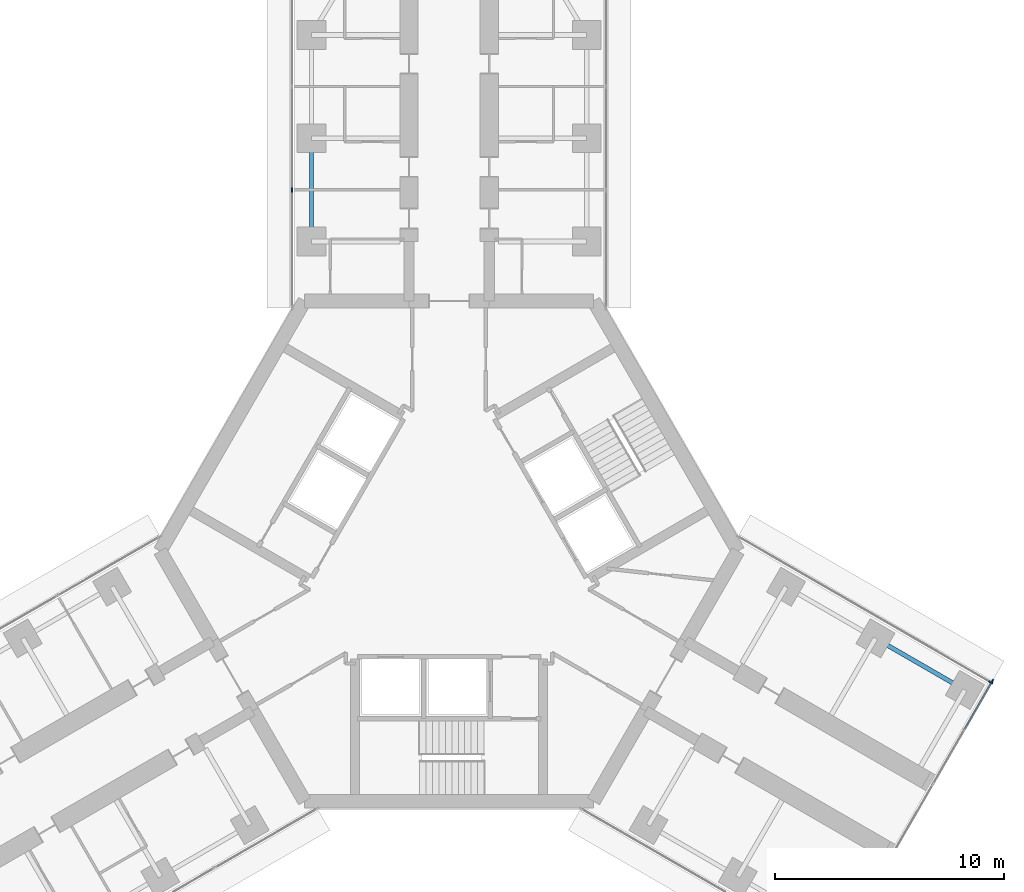
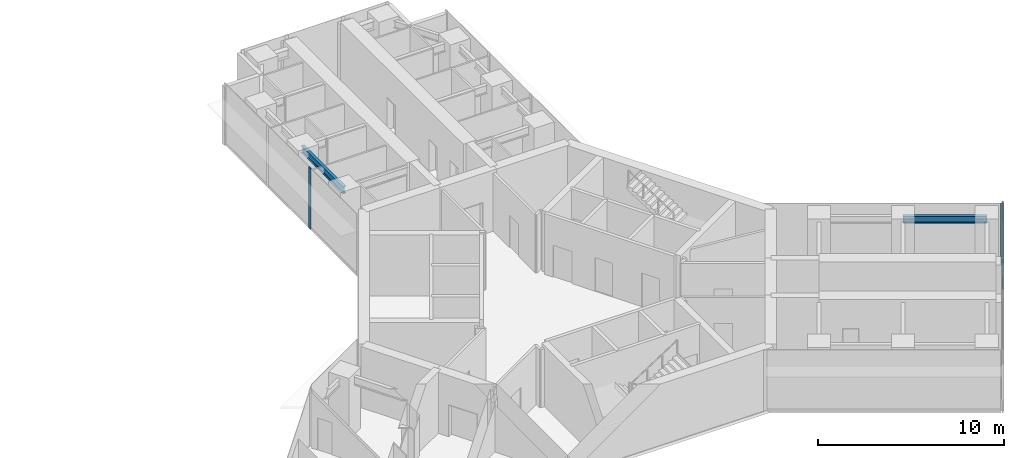
# One storey, part 11 of 23: 4 members, 2 beams, 3 elements without a shape of their own.
"""IFC4 building model written with IfcOpenShell, lengths in metres."""

from ifc_helpers import new_model, si_unit, direction, frame, origin, origin_2d, place, context, subcontext, project, spatial, rectangle, i_section, extrude, material, material_profile, profile_set, type_object, element, aggregate, save


model = new_model("IFC4")

# Units and contexts
model_context = context("Model", 3, precision=1e-05, world=origin(), true_north=direction((0.0, 1.0)))
body_context = subcontext(model_context, "Body", "Model", "MODEL_VIEW")
ifc_project = project(units=[si_unit("LENGTHUNIT", "METRE"), si_unit("AREAUNIT", "SQUARE_METRE"), si_unit("VOLUMEUNIT", "CUBIC_METRE"), si_unit("PLANEANGLEUNIT", "RADIAN"), si_unit("MASSUNIT", "GRAM", prefix="KILO")], contexts=[model_context])

# Site, building, storey
site_placement = place(None, origin())
site = spatial("IfcSite", under=ifc_project, at=site_placement, CompositionType="ELEMENT")
building_placement = place(site_placement, origin())
building = spatial("IfcBuilding", under=site, at=building_placement, Name="Upepo Twin Towers", CompositionType="ELEMENT")
storey_placement = place(building_placement, frame((0.0, 0.0, 153.5)))
storey = spatial("IfcBuildingStorey", under=building, at=storey_placement, Name="L37", CompositionType="ELEMENT", Elevation=153.5)

# Beams
ifc_material_1 = material(Name="Steel S355", Category="steel")
ifc_material_profile_1 = material_profile(ifc_material_1, i_section(OverallWidth=0.1904296875, OverallDepth=0.45703125, WebThickness=0.009033203125, FlangeThickness=0.014404296875, FilletRadius=0.01025390625, at=origin_2d()), Name="UB 457x191x74")
ifc_profile_set_1 = profile_set([ifc_material_profile_1], Name="Steel S355")
beam_type = type_object("IfcBeamType", Name="Beam UB 457x191x74", PredefinedType="BEAM", material=ifc_profile_set_1)
for number, where, z_axis, x_axis, name in (
    (1, (52.5, -4.5, 3.571533203125), (0.0, 1.0, 0.0), (-1.0, 0.0, 0.0), "T2 edge beam AL 13.5-18.0"),
    (2, (77.08837890625, -21.803955078125, 3.571533203125), (0.866031096941, -0.499990139034, 0.0), (0.499990139034, 0.866031096941, 0.0), "T2 edge beam CL 18.0-22.5"),
):
    element("IfcBeam", number, at=place(storey_placement, frame(where, z_axis=z_axis, x_axis=x_axis)), inside=storey, type_object=beam_type, Name=name, PredefinedType="BEAM", context=body_context, shape_type="SweptSolid", body=[
        extrude(i_section(OverallWidth=0.1904296875, OverallDepth=0.45703125, WebThickness=0.009033203125, FlangeThickness=0.014404296875, FilletRadius=0.01025390625, at=origin_2d()), origin(), (0.0, 0.0, 1.0), 4.5),
    ])

# Curtain wall, member
ifc_material_2 = material(Name="Aluminium and fritted glass", Category="aluminium")
curtain_wall_type = type_object("IfcCurtainWallType", Name="Tower curtain wall TW2, fritted glass", PredefinedType="NOTDEFINED", material=ifc_material_2)
curtain_wall_1_placement = place(storey_placement, origin())
curtain_wall_1 = element("IfcCurtainWall", 3, at=curtain_wall_1_placement, inside=storey, type_object=curtain_wall_type, Name="T2 L37 wing A flank L curtain wall", PredefinedType="NOTDEFINED")
ifc_material_3 = material(Name="Aluminium mullion", Category="aluminium")
ifc_material_profile_2 = material_profile(ifc_material_3, rectangle(XDim=0.06494140625, YDim=0.199951171875, at=origin_2d()), Name="MULLION 65x200")
ifc_profile_set_2 = profile_set([ifc_material_profile_2], Name="Aluminium mullion")
member_type_1 = type_object("IfcMemberType", Name="Mullion 65x200 TW2", PredefinedType="MULLION", material=ifc_profile_set_2)
member_1_placement = place(storey_placement, frame((51.64990234375, -2.25, 0.0), z_axis=(0.0, 0.0, 1.0), x_axis=(-1.0, 0.0, 0.0)))
member_1 = element("IfcMember", 4, at=member_1_placement, type_object=member_type_1, Name="T2 L37 wing A flank L curtain wall mullion 2", PredefinedType="MULLION", context=body_context, shape_type="SweptSolid", body=[
    extrude(rectangle(XDim=0.06494140625, YDim=0.199951171875, at=origin_2d()), origin(), (0.0, 0.0, 1.0), 4.0),
])
aggregate(curtain_wall_1, [member_1])

curtain_wall_2_placement = place(storey_placement, origin())
curtain_wall_2 = element("IfcCurtainWall", 5, at=curtain_wall_2_placement, inside=storey, type_object=curtain_wall_type, Name="T2 L37 wing C flank L curtain wall", PredefinedType="NOTDEFINED")
member_2_placement = place(storey_placement, frame((82.11865234375, -23.7265625, 0.0), z_axis=(0.0, 0.0, 1.0), x_axis=(0.50000000792, 0.866025399212, 0.0)))
member_2 = element("IfcMember", 6, at=member_2_placement, type_object=member_type_1, Name="T2 L37 wing C flank L curtain wall mullion 2", PredefinedType="MULLION", context=body_context, shape_type="SweptSolid", body=[
    extrude(rectangle(XDim=0.06494140625, YDim=0.199951171875, at=origin_2d()), origin(), (0.0, 0.0, 1.0), 4.0),
])
aggregate(curtain_wall_2, [member_2])

# Curtain wall, members
curtain_wall_3_placement = place(storey_placement, origin())
curtain_wall_3 = element("IfcCurtainWall", 7, at=curtain_wall_3_placement, inside=storey, type_object=curtain_wall_type, Name="T2 L37 wing C nose curtain wall", PredefinedType="NOTDEFINED")
member_3_placement = place(storey_placement, frame((82.180419921875, -23.684326171875, 0.0), z_axis=(0.0, 0.0, 1.0), x_axis=(-0.866025419745, 0.499999972355, 0.0)))
member_3 = element("IfcMember", 8, at=member_3_placement, type_object=member_type_1, Name="T2 L37 wing C nose curtain wall mullion 6", PredefinedType="MULLION", context=body_context, shape_type="SweptSolid", body=[
    extrude(rectangle(XDim=0.06494140625, YDim=0.199951171875, at=origin_2d()), origin(), (0.0, 0.0, 1.0), 4.0),
])
ifc_material_4 = material(Name="Aluminium transom", Category="aluminium")
ifc_material_profile_3 = material_profile(ifc_material_4, rectangle(XDim=0.06494140625, YDim=0.14990234375, at=origin_2d()), Name="TRANSOM 65x150")
ifc_profile_set_3 = profile_set([ifc_material_profile_3], Name="Aluminium transom")
member_type_2 = type_object("IfcMemberType", Name="Transom 65x150 TW2", PredefinedType="USERDEFINED", material=ifc_profile_set_3)
member_4_placement = place(storey_placement, frame((80.988037109375, -25.749755859375, 0.074951171875), z_axis=(0.50000093428, 0.866024864377, 0.0), x_axis=(-0.866024864377, 0.50000093428, 0.0)))
member_4 = element("IfcMember", 9, at=member_4_placement, type_object=member_type_2, Name="T2 L37 wing C nose curtain wall transom 5", ObjectType="TRANSOM", PredefinedType="USERDEFINED", context=body_context, shape_type="SweptSolid", body=[
    extrude(rectangle(XDim=0.06494140625, YDim=0.14990234375, at=origin_2d()), origin(), (0.0, 0.0, 1.0), 2.3525390625),
])
aggregate(curtain_wall_3, [member_3, member_4])

save(model, "model.ifc")
